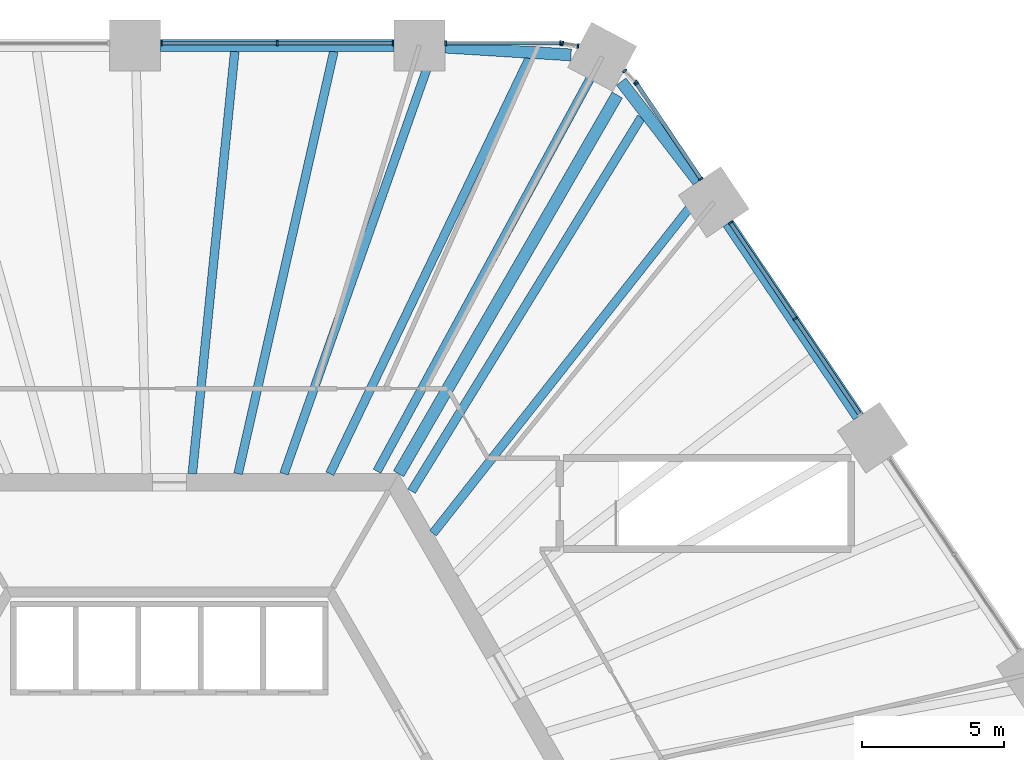
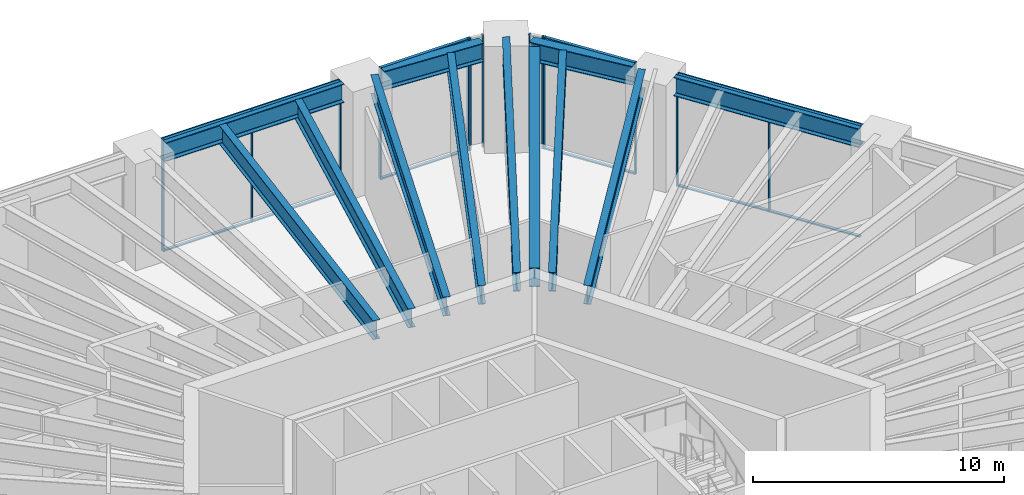
# One storey, part 9 of 25: 25 members, 12 beams, 6 elements without a shape of their own.
"""IFC4 building model written with IfcOpenShell, lengths in metres."""

import ifcopenshell
import ifcopenshell.guid

model = None  # the IFC model being written
_history = None  # IfcOwnerHistory: only IFC2X3 demands one
_inside = {}  # id of a spatial element -> (the spatial element, [elements in it])
_under = {}  # id of a project, library or spatial element -> (it, [spatial elements below it])
_declared = {}  # id of a project -> (the project, [libraries it declares])
_typed = {}  # id of a type object -> (the type object, [elements of that type])
_made_of = {}  # id of a material, layer set ... -> (it, [elements and type objects made of it])


def new_model(schema):
    """Start an empty IFC model of exactly this schema.

    Asked for "IFC4X3", IfcOpenShell would pick the latest addendum, in which some entities
    have other attributes; the version numbers below select the first issue.
    IFC2X3 requires an IfcOwnerHistory on every rooted entity: one is made here for all.
    """
    global model, _history
    if schema == "IFC4X3":
        model = ifcopenshell.file(schema_version=(4, 3, 0, 0))
    else:
        model = ifcopenshell.file(schema=schema)
    _inside.clear()
    _under.clear()
    _declared.clear()
    _typed.clear()
    _made_of.clear()
    _history = None
    if model.schema == "IFC2X3":
        org = make("IfcOrganization", Name="unknown")
        user = make(
            "IfcPersonAndOrganization",
            ThePerson=make("IfcPerson", FamilyName="unknown"),
            TheOrganization=org,
        )
        app = make(
            "IfcApplication",
            ApplicationDeveloper=org,
            Version="unknown",
            ApplicationFullName="unknown",
            ApplicationIdentifier="unknown",
        )
        _history = make(
            "IfcOwnerHistory",
            OwningUser=user,
            OwningApplication=app,
            ChangeAction="ADDED",
            CreationDate=0,
        )
    return model


def make(cls, **values):
    """One entity of the class cls with the attributes given. An attribute that is None is left unset."""
    return model.create_entity(
        cls, **{name: value for name, value in values.items() if value is not None}
    )


def rooted(cls, **values):
    """An entity with a GlobalId (a new one), such as an element, a storey or a relation."""
    return make(cls, GlobalId=ifcopenshell.guid.new(), OwnerHistory=_history, **values)


def si_unit(unit_type, name, prefix=None):
    """IfcSIUnit, for example si_unit("LENGTHUNIT", "METRE", prefix="MILLI")."""
    return make("IfcSIUnit", UnitType=unit_type, Prefix=prefix, Name=name)


def assignment(units):
    """IfcUnitAssignment: the units of a project."""
    return None if units is None else make("IfcUnitAssignment", Units=units)


def point(xyz):
    """IfcCartesianPoint."""
    return None if xyz is None else make("IfcCartesianPoint", Coordinates=xyz)


def direction(xyz):
    """IfcDirection."""
    return None if xyz is None else make("IfcDirection", DirectionRatios=xyz)


def frame(location, z_axis=None, x_axis=None):
    """IfcAxis2Placement3D, a coordinate frame: its origin and axes. An axis left out is left unset."""
    return make(
        "IfcAxis2Placement3D",
        Location=point(location),
        Axis=direction(z_axis),
        RefDirection=direction(x_axis),
    )


def frame_2d(location, x_axis=None):
    """IfcAxis2Placement2D, a coordinate frame in the plane: its origin and x axis."""
    return make(
        "IfcAxis2Placement2D", Location=point(location), RefDirection=direction(x_axis)
    )


def origin():
    """The frame at (0, 0, 0) with its axes left unset."""
    return frame((0.0, 0.0, 0.0))


def origin_2d():
    """The frame at (0, 0) in the plane with its x axis left unset."""
    return frame_2d((0.0, 0.0))


def place(relative_to, where):
    """IfcLocalPlacement: puts the frame where relative to a parent placement (None: the world)."""
    return make(
        "IfcLocalPlacement", PlacementRelTo=relative_to, RelativePlacement=where
    )


def context(
    kind, dimensions, precision=None, world=None, true_north=None, identifier=None
):
    """IfcGeometricRepresentationContext, for example the 3D "Model" context."""
    return make(
        "IfcGeometricRepresentationContext",
        ContextIdentifier=identifier,
        ContextType=kind,
        CoordinateSpaceDimension=dimensions,
        Precision=precision,
        WorldCoordinateSystem=world,
        TrueNorth=true_north,
    )


def subcontext(parent, identifier, kind, view, scale=None):
    """IfcGeometricRepresentationSubContext, for example "Body" below "Model"."""
    return make(
        "IfcGeometricRepresentationSubContext",
        ContextIdentifier=identifier,
        ContextType=kind,
        ParentContext=parent,
        TargetScale=scale,
        TargetView=view,
    )


def project(units=None, contexts=None):
    """IfcProject with its units and contexts."""
    return rooted(
        "IfcProject",
        Name="project",
        RepresentationContexts=contexts,
        UnitsInContext=assignment(units),
    )


def spatial(cls, under=None, at=None, **own):
    """A site, building, storey or space (cls), placed at a placement, below another one or the project."""
    s = rooted(cls, ObjectPlacement=at, **own)
    if under is not None:
        _under.setdefault(under.id(), (under, []))[1].append(s)
    return s


def profile(cls, at=None, kind="AREA", **sizes):
    """A parametric profile (cls). Its sizes go by their IFC names, for example OverallWidth=200.0."""
    return make(cls, ProfileType=kind, Position=at, **sizes)


def rectangle(**sizes):
    """IfcRectangleProfileDef."""
    return profile("IfcRectangleProfileDef", **sizes)


def i_section(**sizes):
    """IfcIShapeProfileDef."""
    return profile("IfcIShapeProfileDef", **sizes)


def extrude(swept, where, along, depth):
    """IfcExtrudedAreaSolid: the profile swept, set in the frame where, extruded along a direction by depth."""
    return make(
        "IfcExtrudedAreaSolid",
        SweptArea=swept,
        Position=where,
        ExtrudedDirection=direction(along),
        Depth=depth,
    )


def shape(context_of_items, identifier, shape_type, items):
    """IfcShapeRepresentation: the items that make up one representation, for example the "Body"."""
    return make(
        "IfcShapeRepresentation",
        ContextOfItems=context_of_items,
        RepresentationIdentifier=identifier,
        RepresentationType=shape_type,
        Items=items,
    )


def material(Name=None, Category=None):
    """IfcMaterial."""
    return make("IfcMaterial", Name=Name, Category=Category)


def material_profile(
    of_material, cross_section, Name=None, Category=None, Priority=None
):
    """IfcMaterialProfile: a cross section and its material."""
    return make(
        "IfcMaterialProfile",
        Name=Name,
        Material=of_material,
        Profile=cross_section,
        Priority=Priority,
        Category=Category,
    )


def profile_set(profiles, Name=None, composite=None):
    """IfcMaterialProfileSet."""
    return make(
        "IfcMaterialProfileSet",
        Name=Name,
        MaterialProfiles=profiles,
        CompositeProfile=composite,
    )


def made_of(thing, what):
    """Note that an element or type object is made of a material, layer set ...; save() writes the relation."""
    if what is not None:
        _made_of.setdefault(what.id(), (what, []))[1].append(thing)
    return thing


def type_object(cls, material=None, **own):
    """A type object (cls), such as IfcWallType, which elements share."""
    return made_of(rooted(cls, **own), material)


def element(
    cls,
    number,
    at=None,
    inside=None,
    cuts=None,
    type_object=None,
    material=None,
    context=None,
    identifier="Body",
    shape_type=None,
    held_by="IfcProductDefinitionShape",
    body=None,
    shapes=None,
    **own,
):
    """One element of the class cls, such as IfcWall. Its Tag is "e" and its number.

    at: its placement. inside: the storey or other place that contains it. cuts: it is an
    opening in that element (IfcRelVoidsElement). A single representation is given by context,
    identifier, shape_type and body (its items); several are given by shapes. held_by: the class
    of the entity that holds the representations. save() writes the other relations.
    """
    e = rooted(cls, Tag="e%d" % number, ObjectPlacement=at, **own)
    if body is not None:
        shapes = [shape(context, identifier, shape_type, body)]
    if shapes is not None:
        e.Representation = make(held_by, Representations=shapes)
    if inside is not None:
        _inside.setdefault(inside.id(), (inside, []))[1].append(e)
    if cuts is not None:
        rooted(
            "IfcRelVoidsElement", RelatingBuildingElement=cuts, RelatedOpeningElement=e
        )
    if type_object is not None:
        _typed.setdefault(type_object.id(), (type_object, []))[1].append(e)
    return made_of(e, material)


def aggregate(whole, parts):
    """IfcRelAggregates: a whole, such as a stair, and the parts it consists of."""
    return rooted("IfcRelAggregates", RelatingObject=whole, RelatedObjects=parts)


def save(model, path):
    """Write the relations noted so far, then the file.

    IfcRelAggregates (storeys below a building ...), IfcRelContainedInSpatialStructure (elements
    in a storey), IfcRelDefinesByType, IfcRelAssociatesMaterial and IfcRelDeclares: one each for
    every whole, place, type object, material and project.
    """
    for whole, parts in _under.values():
        aggregate(whole, parts)
    for where, things in _inside.values():
        rooted(
            "IfcRelContainedInSpatialStructure",
            RelatedElements=things,
            RelatingStructure=where,
        )
    for kind, things in _typed.values():
        rooted("IfcRelDefinesByType", RelatedObjects=things, RelatingType=kind)
    for what, things in _made_of.values():
        rooted("IfcRelAssociatesMaterial", RelatedObjects=things, RelatingMaterial=what)
    for by, libraries in _declared.values():
        rooted("IfcRelDeclares", RelatingContext=by, RelatedDefinitions=libraries)
    model.write(path)


model = new_model("IFC4")

# Units and contexts
model_context = context("Model", 3, precision=1e-05, world=origin(), true_north=direction((0.0, 1.0)))
body_context = subcontext(model_context, "Body", "Model", "MODEL_VIEW")
ifc_project = project(units=[si_unit("LENGTHUNIT", "METRE"), si_unit("AREAUNIT", "SQUARE_METRE"), si_unit("VOLUMEUNIT", "CUBIC_METRE"), si_unit("PLANEANGLEUNIT", "RADIAN"), si_unit("MASSUNIT", "GRAM", prefix="KILO")], contexts=[model_context])

# Site, building, storey
site_placement = place(None, origin())
site = spatial("IfcSite", under=ifc_project, at=site_placement, CompositionType="ELEMENT")
building_placement = place(site_placement, origin())
building = spatial("IfcBuilding", under=site, at=building_placement, Name="Tarnside Tower", CompositionType="ELEMENT")
storey_placement = place(building_placement, frame((0.0, 0.0, 26.0)))
storey = spatial("IfcBuildingStorey", under=building, at=storey_placement, Name="L04", CompositionType="ELEMENT", Elevation=26.0)

# Beams
ifc_material_1 = material(Name="Steel S355", Category="steel")
ifc_material_profile_1 = material_profile(ifc_material_1, i_section(OverallWidth=0.3076171875, OverallDepth=0.926513671875, WebThickness=0.01953125, FlangeThickness=0.031982421875, FilletRadius=0.01904296875, at=origin_2d()), Name="UB 914x305x289")
ifc_profile_set_1 = profile_set([ifc_material_profile_1], Name="Steel S355")
beam_type_1 = type_object("IfcBeamType", Name="Floor beam UB 914x305x289", PredefinedType="BEAM", material=ifc_profile_set_1)
beam_1_placement = place(storey_placement, frame((12.690185546875, 28.6494140625, 4.73681640625), z_axis=(-0.432756465896, -0.901510865839, 0.0), x_axis=(0.901510865839, -0.432756465896, 0.0)))
element("IfcBeam", 1, at=beam_1_placement, inside=storey, type_object=beam_type_1, Name="Floor beam F1.01", PredefinedType="BEAM", context=body_context, shape_type="SweptSolid", body=[
    extrude(i_section(OverallWidth=0.3076171875, OverallDepth=0.926513671875, WebThickness=0.01953125, FlangeThickness=0.031982421875, FilletRadius=0.01904296875, at=origin_2d()), origin(), (0.0, 0.0, 1.0), 16.249755859375),
])
beam_2_placement = place(storey_placement, frame((9.283935546875, 28.860107421875, 4.73681640625), z_axis=(-0.332689636341, -0.943036375688, 0.0), x_axis=(0.943036375688, -0.332689636341, 0.0)))
element("IfcBeam", 2, at=beam_2_placement, inside=storey, type_object=beam_type_1, Name="Floor beam F1.02", PredefinedType="BEAM", context=body_context, shape_type="SweptSolid", body=[
    extrude(i_section(OverallWidth=0.3076171875, OverallDepth=0.926513671875, WebThickness=0.01953125, FlangeThickness=0.031982421875, FilletRadius=0.01904296875, at=origin_2d()), origin(), (0.0, 0.0, 1.0), 15.7578125),
])
beam_3_placement = place(storey_placement, frame((5.799560546875, 28.8896484375, 4.73681640625), z_axis=(-0.221044632162, -0.975263692851, 0.0), x_axis=(0.975263692851, -0.221044632162, 0.0)))
element("IfcBeam", 3, at=beam_3_placement, inside=storey, type_object=beam_type_1, Name="Floor beam F1.03", PredefinedType="BEAM", context=body_context, shape_type="SweptSolid", body=[
    extrude(i_section(OverallWidth=0.3076171875, OverallDepth=0.926513671875, WebThickness=0.01953125, FlangeThickness=0.031982421875, FilletRadius=0.01904296875, at=origin_2d()), origin(), (0.0, 0.0, 1.0), 15.267333984375),
])
beam_4_placement = place(storey_placement, frame((2.304931640625, 28.889892578125, 4.73681640625), z_axis=(-0.100006054522, -0.994986828586, 0.0), x_axis=(0.994986828586, -0.100006054522, 0.0)))
element("IfcBeam", 4, at=beam_4_placement, inside=storey, type_object=beam_type_1, Name="Floor beam F1.04", PredefinedType="BEAM", context=body_context, shape_type="SweptSolid", body=[
    extrude(i_section(OverallWidth=0.3076171875, OverallDepth=0.926513671875, WebThickness=0.01953125, FlangeThickness=0.031982421875, FilletRadius=0.01904296875, at=origin_2d()), origin(), (0.0, 0.0, 1.0), 14.96484375),
])
beam_5_placement = place(storey_placement, frame((18.718017578125, 23.85693359375, 4.73681640625), z_axis=(-0.618949882872, -0.785430482279, 0.0), x_axis=(0.785430482279, -0.618949882872, 0.0)))
element("IfcBeam", 5, at=beam_5_placement, inside=storey, type_object=beam_type_1, Name="Floor beam F6.08", PredefinedType="BEAM", context=body_context, shape_type="SweptSolid", body=[
    extrude(i_section(OverallWidth=0.3076171875, OverallDepth=0.926513671875, WebThickness=0.01953125, FlangeThickness=0.031982421875, FilletRadius=0.01904296875, at=origin_2d()), origin(), (0.0, 0.0, 1.0), 15.2236328125),
])
beam_6_placement = place(storey_placement, frame((16.638427734375, 26.562744140625, 4.73681640625), z_axis=(-0.523623548948, -0.851949751445, 0.0), x_axis=(0.851949751445, -0.523623548948, 0.0)))
element("IfcBeam", 6, at=beam_6_placement, inside=storey, type_object=beam_type_1, Name="Floor beam F6.09", PredefinedType="BEAM", context=body_context, shape_type="SweptSolid", body=[
    extrude(i_section(OverallWidth=0.3076171875, OverallDepth=0.926513671875, WebThickness=0.01953125, FlangeThickness=0.031982421875, FilletRadius=0.01904296875, at=origin_2d()), origin(), (0.0, 0.0, 1.0), 15.467529296875),
])
beam_7_placement = place(storey_placement, frame((15.14404296875, 28.49755859375, 4.73681640625), z_axis=(-0.477062945341, -0.878869129156, 0.0), x_axis=(0.878869129156, -0.477062945341, 0.0)))
element("IfcBeam", 7, at=beam_7_placement, inside=storey, type_object=beam_type_1, Name="Floor beam C6", PredefinedType="BEAM", context=body_context, shape_type="SweptSolid", body=[
    extrude(i_section(OverallWidth=0.3076171875, OverallDepth=0.926513671875, WebThickness=0.01953125, FlangeThickness=0.031982421875, FilletRadius=0.01904296875, at=origin_2d()), origin(), (0.0, 0.0, 1.0), 16.395751953125),
])
ifc_material_2 = material(Name="Steel S460", Category="steel")
ifc_material_profile_2 = material_profile(ifc_material_2, i_section(OverallWidth=0.42041015625, OverallDepth=0.9208984375, WebThickness=0.021484375, FlangeThickness=0.03662109375, FilletRadius=0.024169921875, at=origin_2d()), Name="UB 914x419x388")
ifc_profile_set_2 = profile_set([ifc_material_profile_2], Name="Steel S460")
beam_type_2 = type_object("IfcBeamType", Name="Perimeter girder UB 914x419x388", PredefinedType="BEAM", material=ifc_profile_set_2)
beam_8_placement = place(storey_placement, frame((7.91259765625, 29.10009765625, 4.739501953125), z_axis=(-1.0, 0.0, 0.0), x_axis=(0.0, -1.0, 0.0)))
element("IfcBeam", 8, at=beam_8_placement, inside=storey, type_object=beam_type_2, Name="Perimeter girder M01", PredefinedType="BEAM", context=body_context, shape_type="SweptSolid", body=[
    extrude(i_section(OverallWidth=0.42041015625, OverallDepth=0.9208984375, WebThickness=0.021484375, FlangeThickness=0.03662109375, FilletRadius=0.024169921875, at=origin_2d()), origin(), (0.0, 0.0, 1.0), 8.2236328125),
])
beam_9_placement = place(storey_placement, frame((24.298828125, 16.0146484375, 4.739501953125), z_axis=(-0.559179633433, 0.829046523154, 0.0), x_axis=(-0.829046523154, -0.559179633433, 0.0)))
element("IfcBeam", 9, at=beam_9_placement, inside=storey, type_object=beam_type_2, Name="Perimeter girder M22", PredefinedType="BEAM", context=body_context, shape_type="SweptSolid", body=[
    extrude(i_section(OverallWidth=0.42041015625, OverallDepth=0.9208984375, WebThickness=0.021484375, FlangeThickness=0.03662109375, FilletRadius=0.024169921875, at=origin_2d()), origin(), (0.0, 0.0, 1.0), 8.223388671875),
])
for number, where, z_axis, x_axis, name in (
    (10, (18.636474609375, 24.307861328125, 4.739501953125), (-0.609328053132, 0.792918232649, 0.0), (-0.792918232649, -0.609328053132, 0.0), "Perimeter girder M23"),
    (11, (14.16259765625, 28.768798828125, 4.739501953125), (-0.998088356317, 0.061803179402, 0.0), (-0.061803179402, -0.998088356317, 0.0), "Perimeter girder M24"),
):
    element("IfcBeam", number, at=place(storey_placement, frame(where, z_axis=z_axis, x_axis=x_axis)), inside=storey, type_object=beam_type_2, Name=name, PredefinedType="BEAM", context=body_context, shape_type="SweptSolid", body=[
        extrude(i_section(OverallWidth=0.42041015625, OverallDepth=0.9208984375, WebThickness=0.021484375, FlangeThickness=0.03662109375, FilletRadius=0.024169921875, at=origin_2d()), origin(), (0.0, 0.0, 1.0), 4.440185546875),
    ])
beam_10_placement = place(storey_placement, frame((8.0830078125, 14.0, 4.739501953125), z_axis=(0.49999427205, 0.866028710793, 0.0), x_axis=(-0.866028710793, 0.49999427205, 0.0)))
element("IfcBeam", 12, at=beam_10_placement, inside=storey, type_object=beam_type_2, Name="Perimeter girder SG1", PredefinedType="BEAM", context=body_context, shape_type="SweptSolid", body=[
    extrude(i_section(OverallWidth=0.42041015625, OverallDepth=0.9208984375, WebThickness=0.021484375, FlangeThickness=0.03662109375, FilletRadius=0.024169921875, at=origin_2d()), origin(), (0.0, 0.0, 1.0), 15.420166015625),
])

# Curtain wall, members
ifc_material_3 = material(Name="Retail shopfront glazing wall", Category="glass")
curtain_wall_type = type_object("IfcCurtainWallType", Name="Retail shopfront glazing wall", PredefinedType="NOTDEFINED", material=ifc_material_3)
curtain_wall_1_placement = place(storey_placement, origin())
curtain_wall_1 = element("IfcCurtainWall", 13, at=curtain_wall_1_placement, inside=storey, type_object=curtain_wall_type, Name="Retail shopfront glazing L04 00.0", PredefinedType="NOTDEFINED")
ifc_material_4 = material(Name="Aluminium alloy 6063", Category="aluminium")
ifc_material_profile_3 = material_profile(ifc_material_4, rectangle(XDim=0.159912109375, YDim=0.06005859375, at=origin_2d()), Name="Retail shopfront glazing mullion 60 x 160")
ifc_profile_set_3 = profile_set([ifc_material_profile_3], Name="Aluminium alloy 6063")
member_type_1 = type_object("IfcMemberType", Name="Retail shopfront glazing mullion 60 x 160", PredefinedType="MULLION", material=ifc_profile_set_3)
member_1_placement = place(storey_placement, frame((7.882568359375, 29.179931640625, -0.25), z_axis=(0.0, 0.0, 1.0), x_axis=(0.0, -1.0, 0.0)))
member_1 = element("IfcMember", 14, at=member_1_placement, type_object=member_type_1, Name="CW2 mullion 1", PredefinedType="MULLION", context=body_context, shape_type="SweptSolid", body=[
    extrude(rectangle(XDim=0.159912109375, YDim=0.06005859375, at=origin_2d()), origin(), (0.0, 0.0, 1.0), 5.449951171875),
])
member_2_placement = place(storey_placement, frame((3.80078125, 29.179931640625, -0.25), z_axis=(0.0, 0.0, 1.0), x_axis=(0.0, -1.0, 0.0)))
member_2 = element("IfcMember", 15, at=member_2_placement, type_object=member_type_1, Name="CW2 mullion 2", PredefinedType="MULLION", context=body_context, shape_type="SweptSolid", body=[
    extrude(rectangle(XDim=0.159912109375, YDim=0.06005859375, at=origin_2d()), origin(), (0.0, 0.0, 1.0), 5.449951171875),
])
member_3_placement = place(storey_placement, frame((-0.281005859375, 29.179931640625, -0.25), z_axis=(0.0, 0.0, 1.0), x_axis=(0.0, -1.0, 0.0)))
member_3 = element("IfcMember", 16, at=member_3_placement, type_object=member_type_1, Name="CW2 mullion 3", PredefinedType="MULLION", context=body_context, shape_type="SweptSolid", body=[
    extrude(rectangle(XDim=0.159912109375, YDim=0.06005859375, at=origin_2d()), origin(), (0.0, 0.0, 1.0), 5.449951171875),
])

curtain_wall_2_placement = place(storey_placement, origin())
curtain_wall_2 = element("IfcCurtainWall", 17, at=curtain_wall_2_placement, inside=storey, type_object=curtain_wall_type, Name="Retail shopfront glazing L04 21.0", PredefinedType="NOTDEFINED")
member_4_placement = place(storey_placement, frame((22.06591796875, 19.46826171875, -0.25), z_axis=(0.0, 0.0, 1.0), x_axis=(-0.829037572545, -0.559192903485, 0.0)))
member_4 = element("IfcMember", 18, at=member_4_placement, type_object=member_type_1, Name="CW2 mullion 2", PredefinedType="MULLION", context=body_context, shape_type="SweptSolid", body=[
    extrude(rectangle(XDim=0.159912109375, YDim=0.06005859375, at=origin_2d()), origin(), (0.0, 0.0, 1.0), 5.449951171875),
])
member_5_placement = place(storey_placement, frame((19.783447265625, 22.852294921875, -0.25), z_axis=(0.0, 0.0, 1.0), x_axis=(-0.829037572545, -0.559192903485, 0.0)))
member_5 = element("IfcMember", 19, at=member_5_placement, type_object=member_type_1, Name="CW2 mullion 3", PredefinedType="MULLION", context=body_context, shape_type="SweptSolid", body=[
    extrude(rectangle(XDim=0.159912109375, YDim=0.06005859375, at=origin_2d()), origin(), (0.0, 0.0, 1.0), 5.449951171875),
])

curtain_wall_3_placement = place(storey_placement, origin())
curtain_wall_3 = element("IfcCurtainWall", 20, at=curtain_wall_3_placement, inside=storey, type_object=curtain_wall_type, Name="Retail shopfront glazing L04 22.0", PredefinedType="NOTDEFINED")
member_6_placement = place(storey_placement, frame((18.743408203125, 24.394287109375, -0.25), z_axis=(0.0, 0.0, 1.0), x_axis=(-0.829037572594, -0.559192903413, 0.0)))
member_6 = element("IfcMember", 21, at=member_6_placement, type_object=member_type_1, Name="CW2 mullion 1", PredefinedType="MULLION", context=body_context, shape_type="SweptSolid", body=[
    extrude(rectangle(XDim=0.159912109375, YDim=0.06005859375, at=origin_2d()), origin(), (0.0, 0.0, 1.0), 5.449951171875),
])
member_7_placement = place(storey_placement, frame((16.4775390625, 27.75341796875, -0.25), z_axis=(0.0, 0.0, 1.0), x_axis=(-0.829037572594, -0.559192903413, 0.0)))
member_7 = element("IfcMember", 22, at=member_7_placement, type_object=member_type_1, Name="CW2 mullion 2", PredefinedType="MULLION", context=body_context, shape_type="SweptSolid", body=[
    extrude(rectangle(XDim=0.159912109375, YDim=0.06005859375, at=origin_2d()), origin(), (0.0, 0.0, 1.0), 5.449951171875),
])

curtain_wall_4_placement = place(storey_placement, origin())
curtain_wall_4 = element("IfcCurtainWall", 23, at=curtain_wall_4_placement, inside=storey, type_object=curtain_wall_type, Name="Retail shopfront glazing L04 22.1", PredefinedType="NOTDEFINED")
member_8_placement = place(storey_placement, frame((16.43212890625, 27.810302734375, -0.25), z_axis=(0.0, 0.0, 1.0), x_axis=(-0.727373641625, -0.686241637814, 0.0)))
member_8 = element("IfcMember", 24, at=member_8_placement, type_object=member_type_1, Name="CW2 mullion 1", PredefinedType="MULLION", context=body_context, shape_type="SweptSolid", body=[
    extrude(rectangle(XDim=0.159912109375, YDim=0.06005859375, at=origin_2d()), origin(), (0.0, 0.0, 1.0), 5.449951171875),
])
member_9_placement = place(storey_placement, frame((16.055908203125, 28.208984375, -0.25), z_axis=(0.0, 0.0, 1.0), x_axis=(-0.727373641625, -0.686241637814, 0.0)))
member_9 = element("IfcMember", 25, at=member_9_placement, type_object=member_type_1, Name="CW2 mullion 2", PredefinedType="MULLION", context=body_context, shape_type="SweptSolid", body=[
    extrude(rectangle(XDim=0.159912109375, YDim=0.06005859375, at=origin_2d()), origin(), (0.0, 0.0, 1.0), 5.449951171875),
])
aggregate(curtain_wall_4, [member_8, member_9])

curtain_wall_5_placement = place(storey_placement, origin())
curtain_wall_5 = element("IfcCurtainWall", 26, at=curtain_wall_5_placement, inside=storey, type_object=curtain_wall_type, Name="Retail shopfront glazing L04 23.0", PredefinedType="NOTDEFINED")
member_10_placement = place(storey_placement, frame((14.407958984375, 29.085205078125, -0.25), z_axis=(0.0, 0.0, 1.0), x_axis=(-0.162177923823, -0.986761531995, 0.0)))
member_10 = element("IfcMember", 27, at=member_10_placement, type_object=member_type_1, Name="CW2 mullion 1", PredefinedType="MULLION", context=body_context, shape_type="SweptSolid", body=[
    extrude(rectangle(XDim=0.159912109375, YDim=0.06005859375, at=origin_2d()), origin(), (0.0, 0.0, 1.0), 5.449951171875),
])
member_11_placement = place(storey_placement, frame((13.866943359375, 29.174072265625, -0.25), z_axis=(0.0, 0.0, 1.0), x_axis=(-0.162177923823, -0.986761531995, 0.0)))
member_11 = element("IfcMember", 28, at=member_11_placement, type_object=member_type_1, Name="CW2 mullion 2", PredefinedType="MULLION", context=body_context, shape_type="SweptSolid", body=[
    extrude(rectangle(XDim=0.159912109375, YDim=0.06005859375, at=origin_2d()), origin(), (0.0, 0.0, 1.0), 5.449951171875),
])
aggregate(curtain_wall_5, [member_10, member_11])

curtain_wall_6_placement = place(storey_placement, origin())
curtain_wall_6 = element("IfcCurtainWall", 29, at=curtain_wall_6_placement, inside=storey, type_object=curtain_wall_type, Name="Retail shopfront glazing L04 23.1", PredefinedType="NOTDEFINED")
member_12_placement = place(storey_placement, frame((13.79443359375, 29.179931640625, -0.25), z_axis=(0.0, 0.0, 1.0), x_axis=(0.0, -1.0, 0.0)))
member_12 = element("IfcMember", 30, at=member_12_placement, type_object=member_type_1, Name="CW2 mullion 1", PredefinedType="MULLION", context=body_context, shape_type="SweptSolid", body=[
    extrude(rectangle(XDim=0.159912109375, YDim=0.06005859375, at=origin_2d()), origin(), (0.0, 0.0, 1.0), 5.449951171875),
])
member_13_placement = place(storey_placement, frame((9.74267578125, 29.179931640625, -0.25), z_axis=(0.0, 0.0, 1.0), x_axis=(0.0, -1.0, 0.0)))
member_13 = element("IfcMember", 31, at=member_13_placement, type_object=member_type_1, Name="CW2 mullion 2", PredefinedType="MULLION", context=body_context, shape_type="SweptSolid", body=[
    extrude(rectangle(XDim=0.159912109375, YDim=0.06005859375, at=origin_2d()), origin(), (0.0, 0.0, 1.0), 5.449951171875),
])

# Member
ifc_material_profile_4 = material_profile(ifc_material_4, rectangle(XDim=0.139892578125, YDim=0.06005859375, at=origin_2d()), Name="Retail shopfront glazing transom 60 x 140")
ifc_profile_set_4 = profile_set([ifc_material_profile_4], Name="Aluminium alloy 6063")
member_type_2 = type_object("IfcMemberType", Name="Retail shopfront glazing transom 60 x 140", PredefinedType="USERDEFINED", material=ifc_profile_set_4)
member_14_placement = place(storey_placement, frame((7.8525390625, 29.179931640625, -0.219970703125), z_axis=(-1.0, 0.0, 0.0), x_axis=(0.0, -1.0, 0.0)))
member_14 = element("IfcMember", 32, at=member_14_placement, type_object=member_type_2, Name="CW2 transom 1.1", ObjectType="TRANSOM", PredefinedType="USERDEFINED", context=body_context, shape_type="SweptSolid", body=[
    extrude(rectangle(XDim=0.139892578125, YDim=0.06005859375, at=origin_2d()), origin(), (0.0, 0.0, 1.0), 4.021728515625),
])

member_15_placement = place(storey_placement, frame((7.8525390625, 29.179931640625, 5.169921875), z_axis=(-1.0, 0.0, 0.0), x_axis=(0.0, -1.0, 0.0)))
member_15 = element("IfcMember", 33, at=member_15_placement, type_object=member_type_2, Name="CW2 transom 1.2", ObjectType="TRANSOM", PredefinedType="USERDEFINED", context=body_context, shape_type="SweptSolid", body=[
    extrude(rectangle(XDim=0.139892578125, YDim=0.06005859375, at=origin_2d()), origin(), (0.0, 0.0, 1.0), 4.021728515625),
])

member_16_placement = place(storey_placement, frame((3.770751953125, 29.179931640625, -0.219970703125), z_axis=(-1.0, 0.0, 0.0), x_axis=(0.0, -1.0, 0.0)))
member_16 = element("IfcMember", 34, at=member_16_placement, type_object=member_type_2, Name="CW2 transom 2.1", ObjectType="TRANSOM", PredefinedType="USERDEFINED", context=body_context, shape_type="SweptSolid", body=[
    extrude(rectangle(XDim=0.139892578125, YDim=0.06005859375, at=origin_2d()), origin(), (0.0, 0.0, 1.0), 4.021728515625),
])

member_17_placement = place(storey_placement, frame((3.770751953125, 29.179931640625, 5.169921875), z_axis=(-1.0, 0.0, 0.0), x_axis=(0.0, -1.0, 0.0)))
member_17 = element("IfcMember", 35, at=member_17_placement, type_object=member_type_2, Name="CW2 transom 2.2", ObjectType="TRANSOM", PredefinedType="USERDEFINED", context=body_context, shape_type="SweptSolid", body=[
    extrude(rectangle(XDim=0.139892578125, YDim=0.06005859375, at=origin_2d()), origin(), (0.0, 0.0, 1.0), 4.021728515625),
])

aggregate(curtain_wall_1, [member_1, member_2, member_3, member_14, member_15, member_16, member_17])

member_18_placement = place(storey_placement, frame((24.331787109375, 16.109130859375, -0.219970703125), z_axis=(-0.559202799254, 0.829030897679, 0.0), x_axis=(-0.829030897679, -0.559202799254, 0.0)))
member_18 = element("IfcMember", 36, at=member_18_placement, type_object=member_type_2, Name="CW2 transom 1.1", ObjectType="TRANSOM", PredefinedType="USERDEFINED", context=body_context, shape_type="SweptSolid", body=[
    extrude(rectangle(XDim=0.139892578125, YDim=0.06005859375, at=origin_2d()), origin(), (0.0, 0.0, 1.0), 4.021728515625),
])

member_19_placement = place(storey_placement, frame((24.331787109375, 16.109130859375, 5.169921875), z_axis=(-0.559202799254, 0.829030897679, 0.0), x_axis=(-0.829030897679, -0.559202799254, 0.0)))
member_19 = element("IfcMember", 37, at=member_19_placement, type_object=member_type_2, Name="CW2 transom 1.2", ObjectType="TRANSOM", PredefinedType="USERDEFINED", context=body_context, shape_type="SweptSolid", body=[
    extrude(rectangle(XDim=0.139892578125, YDim=0.06005859375, at=origin_2d()), origin(), (0.0, 0.0, 1.0), 4.021728515625),
])

member_20_placement = place(storey_placement, frame((22.049072265625, 19.4931640625, -0.219970703125), z_axis=(-0.559161075925, 0.829059039617, 0.0), x_axis=(-0.829059039617, -0.559161075925, 0.0)))
member_20 = element("IfcMember", 38, at=member_20_placement, type_object=member_type_2, Name="CW2 transom 2.1", ObjectType="TRANSOM", PredefinedType="USERDEFINED", context=body_context, shape_type="SweptSolid", body=[
    extrude(rectangle(XDim=0.139892578125, YDim=0.06005859375, at=origin_2d()), origin(), (0.0, 0.0, 1.0), 4.021728515625),
])

member_21_placement = place(storey_placement, frame((22.049072265625, 19.4931640625, 5.169921875), z_axis=(-0.559161075925, 0.829059039617, 0.0), x_axis=(-0.829059039617, -0.559161075925, 0.0)))
member_21 = element("IfcMember", 39, at=member_21_placement, type_object=member_type_2, Name="CW2 transom 2.2", ObjectType="TRANSOM", PredefinedType="USERDEFINED", context=body_context, shape_type="SweptSolid", body=[
    extrude(rectangle(XDim=0.139892578125, YDim=0.06005859375, at=origin_2d()), origin(), (0.0, 0.0, 1.0), 4.021728515625),
])

aggregate(curtain_wall_2, [member_4, member_5, member_18, member_19, member_20, member_21])

member_22_placement = place(storey_placement, frame((18.7265625, 24.419189453125, -0.219970703125), z_axis=(-0.559194461084, 0.829036521929, 0.0), x_axis=(-0.829036521929, -0.559194461084, 0.0)))
member_22 = element("IfcMember", 40, at=member_22_placement, type_object=member_type_2, Name="CW2 transom 1.1", ObjectType="TRANSOM", PredefinedType="USERDEFINED", context=body_context, shape_type="SweptSolid", body=[
    extrude(rectangle(XDim=0.139892578125, YDim=0.06005859375, at=origin_2d()), origin(), (0.0, 0.0, 1.0), 3.99169921875),
])

member_23_placement = place(storey_placement, frame((18.7265625, 24.419189453125, 5.169921875), z_axis=(-0.559194461084, 0.829036521929, 0.0), x_axis=(-0.829036521929, -0.559194461084, 0.0)))
member_23 = element("IfcMember", 41, at=member_23_placement, type_object=member_type_2, Name="CW2 transom 1.2", ObjectType="TRANSOM", PredefinedType="USERDEFINED", context=body_context, shape_type="SweptSolid", body=[
    extrude(rectangle(XDim=0.139892578125, YDim=0.06005859375, at=origin_2d()), origin(), (0.0, 0.0, 1.0), 3.99169921875),
])

aggregate(curtain_wall_3, [member_6, member_7, member_22, member_23])

member_24_placement = place(storey_placement, frame((13.764404296875, 29.179931640625, -0.219970703125), z_axis=(-1.0, 0.0, 0.0), x_axis=(0.0, -1.0, 0.0)))
member_24 = element("IfcMember", 42, at=member_24_placement, type_object=member_type_2, Name="CW2 transom 1.1", ObjectType="TRANSOM", PredefinedType="USERDEFINED", context=body_context, shape_type="SweptSolid", body=[
    extrude(rectangle(XDim=0.139892578125, YDim=0.06005859375, at=origin_2d()), origin(), (0.0, 0.0, 1.0), 3.99169921875),
])

member_25_placement = place(storey_placement, frame((13.764404296875, 29.179931640625, 5.169921875), z_axis=(-1.0, 0.0, 0.0), x_axis=(0.0, -1.0, 0.0)))
member_25 = element("IfcMember", 43, at=member_25_placement, type_object=member_type_2, Name="CW2 transom 1.2", ObjectType="TRANSOM", PredefinedType="USERDEFINED", context=body_context, shape_type="SweptSolid", body=[
    extrude(rectangle(XDim=0.139892578125, YDim=0.06005859375, at=origin_2d()), origin(), (0.0, 0.0, 1.0), 3.99169921875),
])

aggregate(curtain_wall_6, [member_12, member_13, member_24, member_25])

save(model, "model.ifc")
